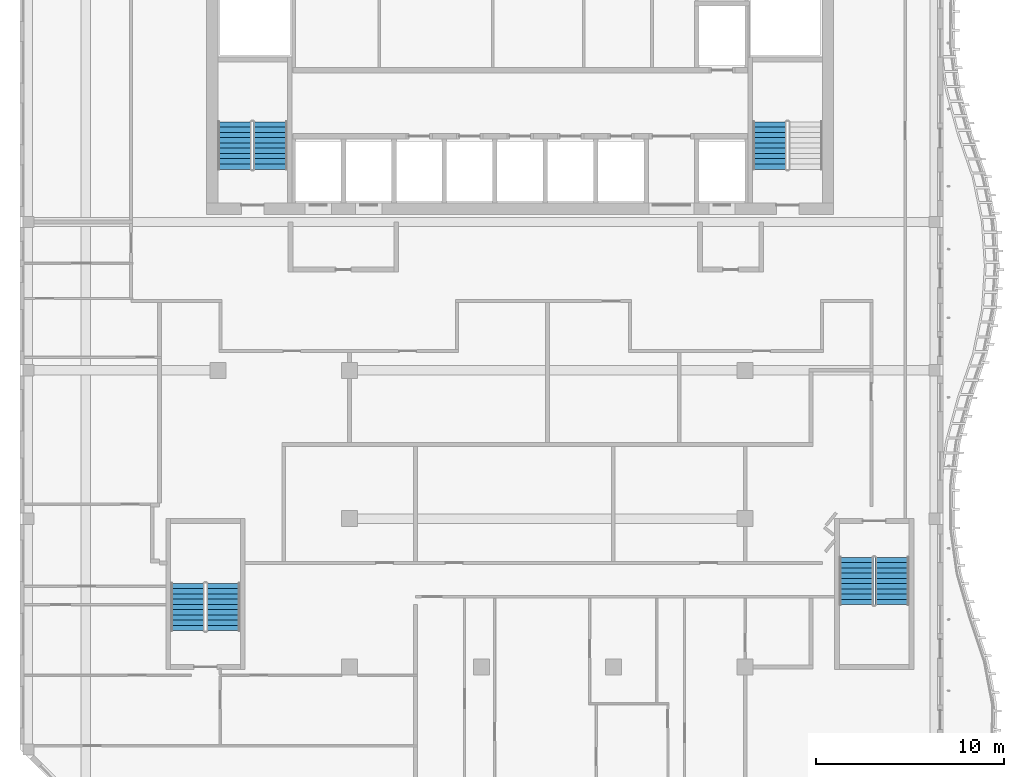
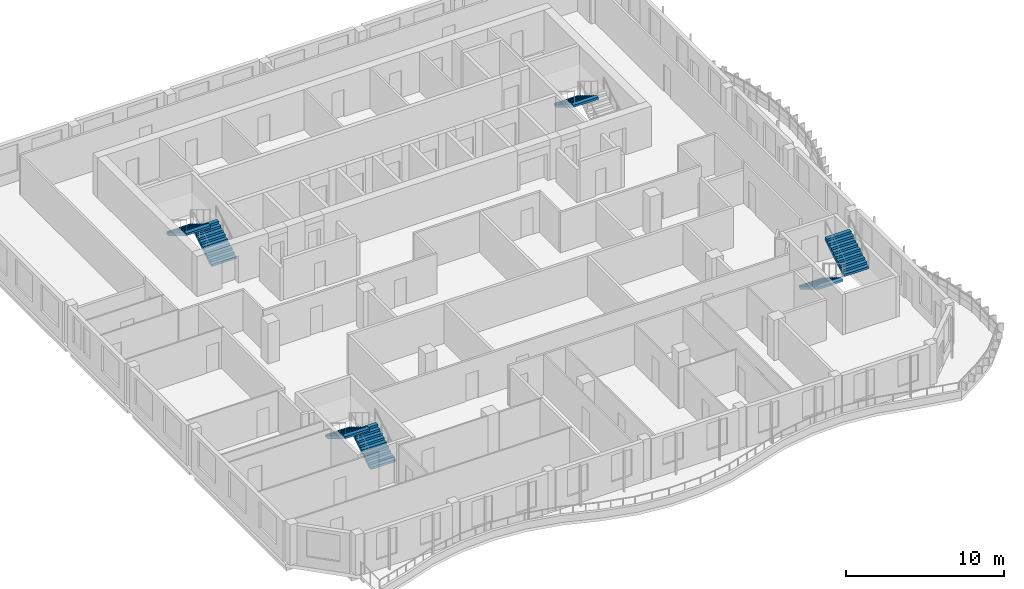
# One storey, part 9 of 17: 7 stair flights, 4 elements without a shape of their own.
"""IFC4 building model written with IfcOpenShell, lengths in metres."""

from ifc_helpers import new_model, si_unit, direction, frame, origin, place, context, subcontext, project, spatial, triangles, source, transform, mapped, material, type_object, element, aggregate, save


model = new_model("IFC4")

# Units and contexts
model_context = context("Model", 3, precision=1e-05, world=origin(), true_north=direction((0.0, 1.0)))
body_context = subcontext(model_context, "Body", "Model", "MODEL_VIEW")
ifc_project = project(units=[si_unit("LENGTHUNIT", "METRE"), si_unit("AREAUNIT", "SQUARE_METRE"), si_unit("VOLUMEUNIT", "CUBIC_METRE"), si_unit("PLANEANGLEUNIT", "RADIAN"), si_unit("MASSUNIT", "GRAM", prefix="KILO")], contexts=[model_context])

# Site, building, storey
site_placement = place(None, origin())
site = spatial("IfcSite", under=ifc_project, at=site_placement, CompositionType="ELEMENT")
building_placement = place(site_placement, origin())
building = spatial("IfcBuilding", under=site, at=building_placement, Name="Kilnfold Tower and Market Hall", CompositionType="ELEMENT")
storey_placement = place(building_placement, frame((0.0, 0.0, 305.199951171875)))
storey = spatial("IfcBuildingStorey", under=building, at=storey_placement, Name="L76", CompositionType="ELEMENT", Elevation=305.199951171875)

# Stair, stair flights
ifc_material_1 = material(Name="Concrete C40/50", Category="concrete")
stair_type = type_object("IfcStairType", Name="CORE STAIR 1800", PredefinedType="HALF_TURN_STAIR", material=ifc_material_1)
stair_1_placement = place(storey_placement, origin())
stair_1 = element("IfcStair", 1, at=stair_1_placement, inside=storey, type_object=stair_type, Name="L76 ST1", PredefinedType="HALF_TURN_STAIR")
ifc_material_2 = material(Name="Concrete C40/50", Category="concrete")
stair_flight_type = type_object("IfcStairFlightType", Name="CORE STAIR FLIGHT 1800", PredefinedType="STRAIGHT", material=ifc_material_2)
shared_shape = source(origin(), body_context, "Body", "Tessellation", [
    triangles([(0.0, 0.89990234375, 0.0), (0.0, 0.78759765625, 0.0), (0.0, 0.675048828125, 0.0), (0.0, 0.5625, 0.0), (0.0, 0.449951171875, 0.0), (0.0, 0.33740234375, 0.0), (0.0, 0.22509765625, 0.0), (0.0, 0.112548828125, 0.0), (0.0, 0.0, 0.0), (0.0, -0.112548828125, 0.0), (0.0, -0.22509765625, 0.0), (0.0, -0.33740234375, 0.0), (0.0, -0.449951171875, 0.0), (0.0, -0.5625, 0.0), (0.0, -0.675048828125, 0.0), (0.0, -0.78759765625, 0.0), (0.0, -0.89990234375, 0.0), (0.0, 0.89990234375, 0.169921875), (0.0, 0.78759765625, 0.169921875), (0.0, 0.675048828125, 0.169921875), (0.0, 0.5625, 0.169921875), (0.0, 0.449951171875, 0.169921875), (0.0, 0.33740234375, 0.169921875), (0.0, 0.22509765625, 0.169921875), (0.0, 0.112548828125, 0.169921875), (0.0, 0.0, 0.169921875), (0.0, -0.112548828125, 0.169921875), (0.0, -0.22509765625, 0.169921875), (0.0, -0.33740234375, 0.169921875), (0.0, -0.449951171875, 0.169921875), (0.0, -0.5625, 0.169921875), (0.0, -0.675048828125, 0.169921875), (0.0, -0.78759765625, 0.169921875), (0.0, -0.89990234375, 0.169921875), (0.280029296875, 0.89990234375, 0.169921875), (0.280029296875, 0.78759765625, 0.169921875), (0.280029296875, 0.675048828125, 0.169921875), (0.280029296875, 0.5625, 0.169921875), (0.280029296875, 0.449951171875, 0.169921875), (0.280029296875, 0.33740234375, 0.169921875), (0.280029296875, 0.22509765625, 0.169921875), (0.280029296875, 0.112548828125, 0.169921875), (0.280029296875, 0.0, 0.169921875), (0.280029296875, -0.112548828125, 0.169921875), (0.280029296875, -0.22509765625, 0.169921875), (0.280029296875, -0.33740234375, 0.169921875), (0.280029296875, -0.449951171875, 0.169921875), (0.280029296875, -0.5625, 0.169921875), (0.280029296875, -0.675048828125, 0.169921875), (0.280029296875, -0.78759765625, 0.169921875), (0.280029296875, -0.89990234375, 0.169921875), (0.280029296875, 0.89990234375, 0.340087890625), (0.280029296875, 0.78759765625, 0.340087890625), (0.280029296875, 0.675048828125, 0.340087890625), (0.280029296875, 0.5625, 0.340087890625), (0.280029296875, 0.449951171875, 0.340087890625), (0.280029296875, 0.33740234375, 0.340087890625), (0.280029296875, 0.22509765625, 0.340087890625), (0.280029296875, 0.112548828125, 0.340087890625), (0.280029296875, 0.0, 0.340087890625), (0.280029296875, -0.112548828125, 0.340087890625), (0.280029296875, -0.22509765625, 0.340087890625), (0.280029296875, -0.33740234375, 0.340087890625), (0.280029296875, -0.449951171875, 0.340087890625), (0.280029296875, -0.5625, 0.340087890625), (0.280029296875, -0.675048828125, 0.340087890625), (0.280029296875, -0.78759765625, 0.340087890625), (0.280029296875, -0.89990234375, 0.340087890625), (0.56005859375, 0.89990234375, 0.340087890625), (0.56005859375, 0.78759765625, 0.340087890625), (0.56005859375, 0.675048828125, 0.340087890625), (0.56005859375, 0.5625, 0.340087890625), (0.56005859375, 0.449951171875, 0.340087890625), (0.56005859375, 0.33740234375, 0.340087890625), (0.56005859375, 0.22509765625, 0.340087890625), (0.56005859375, 0.112548828125, 0.340087890625), (0.56005859375, 0.0, 0.340087890625), (0.56005859375, -0.112548828125, 0.340087890625), (0.56005859375, -0.22509765625, 0.340087890625), (0.56005859375, -0.33740234375, 0.340087890625), (0.56005859375, -0.449951171875, 0.340087890625), (0.56005859375, -0.5625, 0.340087890625), (0.56005859375, -0.675048828125, 0.340087890625), (0.56005859375, -0.78759765625, 0.340087890625), (0.56005859375, -0.89990234375, 0.340087890625), (0.56005859375, 0.89990234375, 0.510009765625), (0.56005859375, 0.78759765625, 0.510009765625), (0.56005859375, 0.675048828125, 0.510009765625), (0.56005859375, 0.5625, 0.510009765625), (0.56005859375, 0.449951171875, 0.510009765625), (0.56005859375, 0.33740234375, 0.510009765625), (0.56005859375, 0.22509765625, 0.510009765625), (0.56005859375, 0.112548828125, 0.510009765625), (0.56005859375, 0.0, 0.510009765625), (0.56005859375, -0.112548828125, 0.510009765625), (0.56005859375, -0.22509765625, 0.510009765625), (0.56005859375, -0.33740234375, 0.510009765625), (0.56005859375, -0.449951171875, 0.510009765625), (0.56005859375, -0.5625, 0.510009765625), (0.56005859375, -0.675048828125, 0.510009765625), (0.56005859375, -0.78759765625, 0.510009765625), (0.56005859375, -0.89990234375, 0.510009765625), (0.840087890625, 0.89990234375, 0.510009765625), (0.840087890625, 0.78759765625, 0.510009765625), (0.840087890625, 0.675048828125, 0.510009765625), (0.840087890625, 0.5625, 0.510009765625), (0.840087890625, 0.449951171875, 0.510009765625), (0.840087890625, 0.33740234375, 0.510009765625), (0.840087890625, 0.22509765625, 0.510009765625), (0.840087890625, 0.112548828125, 0.510009765625), (0.840087890625, 0.0, 0.510009765625), (0.840087890625, -0.112548828125, 0.510009765625), (0.840087890625, -0.22509765625, 0.510009765625), (0.840087890625, -0.33740234375, 0.510009765625), (0.840087890625, -0.449951171875, 0.510009765625), (0.840087890625, -0.5625, 0.510009765625), (0.840087890625, -0.675048828125, 0.510009765625), (0.840087890625, -0.78759765625, 0.510009765625), (0.840087890625, -0.89990234375, 0.510009765625), (0.840087890625, 0.89990234375, 0.679931640625), (0.840087890625, 0.78759765625, 0.679931640625), (0.840087890625, 0.675048828125, 0.679931640625), (0.840087890625, 0.5625, 0.679931640625), (0.840087890625, 0.449951171875, 0.679931640625), (0.840087890625, 0.33740234375, 0.679931640625), (0.840087890625, 0.22509765625, 0.679931640625), (0.840087890625, 0.112548828125, 0.679931640625), (0.840087890625, 0.0, 0.679931640625), (0.840087890625, -0.112548828125, 0.679931640625), (0.840087890625, -0.22509765625, 0.679931640625), (0.840087890625, -0.33740234375, 0.679931640625), (0.840087890625, -0.449951171875, 0.679931640625), (0.840087890625, -0.5625, 0.679931640625), (0.840087890625, -0.675048828125, 0.679931640625), (0.840087890625, -0.78759765625, 0.679931640625), (0.840087890625, -0.89990234375, 0.679931640625), (1.1201171875, 0.89990234375, 0.679931640625), (1.1201171875, 0.78759765625, 0.679931640625), (1.1201171875, 0.675048828125, 0.679931640625), (1.1201171875, 0.5625, 0.679931640625), (1.1201171875, 0.449951171875, 0.679931640625), (1.1201171875, 0.33740234375, 0.679931640625), (1.1201171875, 0.22509765625, 0.679931640625), (1.1201171875, 0.112548828125, 0.679931640625), (1.1201171875, 0.0, 0.679931640625), (1.1201171875, -0.112548828125, 0.679931640625), (1.1201171875, -0.22509765625, 0.679931640625), (1.1201171875, -0.33740234375, 0.679931640625), (1.1201171875, -0.449951171875, 0.679931640625), (1.1201171875, -0.5625, 0.679931640625), (1.1201171875, -0.675048828125, 0.679931640625), (1.1201171875, -0.78759765625, 0.679931640625), (1.1201171875, -0.89990234375, 0.679931640625), (1.1201171875, 0.89990234375, 0.85009765625), (1.1201171875, 0.78759765625, 0.85009765625), (1.1201171875, 0.675048828125, 0.85009765625), (1.1201171875, 0.5625, 0.85009765625), (1.1201171875, 0.449951171875, 0.85009765625), (1.1201171875, 0.33740234375, 0.85009765625), (1.1201171875, 0.22509765625, 0.85009765625), (1.1201171875, 0.112548828125, 0.85009765625), (1.1201171875, 0.0, 0.85009765625), (1.1201171875, -0.112548828125, 0.85009765625), (1.1201171875, -0.22509765625, 0.85009765625), (1.1201171875, -0.33740234375, 0.85009765625), (1.1201171875, -0.449951171875, 0.85009765625), (1.1201171875, -0.5625, 0.85009765625), (1.1201171875, -0.675048828125, 0.85009765625), (1.1201171875, -0.78759765625, 0.85009765625), (1.1201171875, -0.89990234375, 0.85009765625), (1.39990234375, 0.89990234375, 0.85009765625), (1.39990234375, 0.78759765625, 0.85009765625), (1.39990234375, 0.675048828125, 0.85009765625), (1.39990234375, 0.5625, 0.85009765625), (1.39990234375, 0.449951171875, 0.85009765625), (1.39990234375, 0.33740234375, 0.85009765625), (1.39990234375, 0.22509765625, 0.85009765625), (1.39990234375, 0.112548828125, 0.85009765625), (1.39990234375, 0.0, 0.85009765625), (1.39990234375, -0.112548828125, 0.85009765625), (1.39990234375, -0.22509765625, 0.85009765625), (1.39990234375, -0.33740234375, 0.85009765625), (1.39990234375, -0.449951171875, 0.85009765625), (1.39990234375, -0.5625, 0.85009765625), (1.39990234375, -0.675048828125, 0.85009765625), (1.39990234375, -0.78759765625, 0.85009765625), (1.39990234375, -0.89990234375, 0.85009765625), (1.39990234375, 0.89990234375, 1.02001953125), (1.39990234375, 0.78759765625, 1.02001953125), (1.39990234375, 0.675048828125, 1.02001953125), (1.39990234375, 0.5625, 1.02001953125), (1.39990234375, 0.449951171875, 1.02001953125), (1.39990234375, 0.33740234375, 1.02001953125), (1.39990234375, 0.22509765625, 1.02001953125), (1.39990234375, 0.112548828125, 1.02001953125), (1.39990234375, 0.0, 1.02001953125), (1.39990234375, -0.112548828125, 1.02001953125), (1.39990234375, -0.22509765625, 1.02001953125), (1.39990234375, -0.33740234375, 1.02001953125), (1.39990234375, -0.449951171875, 1.02001953125), (1.39990234375, -0.5625, 1.02001953125), (1.39990234375, -0.675048828125, 1.02001953125), (1.39990234375, -0.78759765625, 1.02001953125), (1.39990234375, -0.89990234375, 1.02001953125), (1.679931640625, 0.89990234375, 1.02001953125), (1.679931640625, 0.78759765625, 1.02001953125), (1.679931640625, 0.675048828125, 1.02001953125), (1.679931640625, 0.5625, 1.02001953125), (1.679931640625, 0.449951171875, 1.02001953125), (1.679931640625, 0.33740234375, 1.02001953125), (1.679931640625, 0.22509765625, 1.02001953125), (1.679931640625, 0.112548828125, 1.02001953125), (1.679931640625, 0.0, 1.02001953125), (1.679931640625, -0.112548828125, 1.02001953125), (1.679931640625, -0.22509765625, 1.02001953125), (1.679931640625, -0.33740234375, 1.02001953125), (1.679931640625, -0.449951171875, 1.02001953125), (1.679931640625, -0.5625, 1.02001953125), (1.679931640625, -0.675048828125, 1.02001953125), (1.679931640625, -0.78759765625, 1.02001953125), (1.679931640625, -0.89990234375, 1.02001953125), (1.679931640625, 0.89990234375, 1.18994140625), (1.679931640625, 0.78759765625, 1.18994140625), (1.679931640625, 0.675048828125, 1.18994140625), (1.679931640625, 0.5625, 1.18994140625), (1.679931640625, 0.449951171875, 1.18994140625), (1.679931640625, 0.33740234375, 1.18994140625), (1.679931640625, 0.22509765625, 1.18994140625), (1.679931640625, 0.112548828125, 1.18994140625), (1.679931640625, 0.0, 1.18994140625), (1.679931640625, -0.112548828125, 1.18994140625), (1.679931640625, -0.22509765625, 1.18994140625), (1.679931640625, -0.33740234375, 1.18994140625), (1.679931640625, -0.449951171875, 1.18994140625), (1.679931640625, -0.5625, 1.18994140625), (1.679931640625, -0.675048828125, 1.18994140625), (1.679931640625, -0.78759765625, 1.18994140625), (1.679931640625, -0.89990234375, 1.18994140625), (1.9599609375, 0.89990234375, 1.18994140625), (1.9599609375, 0.78759765625, 1.18994140625), (1.9599609375, 0.675048828125, 1.18994140625), (1.9599609375, 0.5625, 1.18994140625), (1.9599609375, 0.449951171875, 1.18994140625), (1.9599609375, 0.33740234375, 1.18994140625), (1.9599609375, 0.22509765625, 1.18994140625), (1.9599609375, 0.112548828125, 1.18994140625), (1.9599609375, 0.0, 1.18994140625), (1.9599609375, -0.112548828125, 1.18994140625), (1.9599609375, -0.22509765625, 1.18994140625), (1.9599609375, -0.33740234375, 1.18994140625), (1.9599609375, -0.449951171875, 1.18994140625), (1.9599609375, -0.5625, 1.18994140625), (1.9599609375, -0.675048828125, 1.18994140625), (1.9599609375, -0.78759765625, 1.18994140625), (1.9599609375, -0.89990234375, 1.18994140625), (1.9599609375, 0.89990234375, 1.360107421875), (1.9599609375, 0.78759765625, 1.360107421875), (1.9599609375, 0.675048828125, 1.360107421875), (1.9599609375, 0.5625, 1.360107421875), (1.9599609375, 0.449951171875, 1.360107421875), (1.9599609375, 0.33740234375, 1.360107421875), (1.9599609375, 0.22509765625, 1.360107421875), (1.9599609375, 0.112548828125, 1.360107421875), (1.9599609375, 0.0, 1.360107421875), (1.9599609375, -0.112548828125, 1.360107421875), (1.9599609375, -0.22509765625, 1.360107421875), (1.9599609375, -0.33740234375, 1.360107421875), (1.9599609375, -0.449951171875, 1.360107421875), (1.9599609375, -0.5625, 1.360107421875), (1.9599609375, -0.675048828125, 1.360107421875), (1.9599609375, -0.78759765625, 1.360107421875), (1.9599609375, -0.89990234375, 1.360107421875), (2.239990234375, 0.89990234375, 1.360107421875), (2.239990234375, 0.78759765625, 1.360107421875), (2.239990234375, 0.675048828125, 1.360107421875), (2.239990234375, 0.5625, 1.360107421875), (2.239990234375, 0.449951171875, 1.360107421875), (2.239990234375, 0.33740234375, 1.360107421875), (2.239990234375, 0.22509765625, 1.360107421875), (2.239990234375, 0.112548828125, 1.360107421875), (2.239990234375, 0.0, 1.360107421875), (2.239990234375, -0.112548828125, 1.360107421875), (2.239990234375, -0.22509765625, 1.360107421875), (2.239990234375, -0.33740234375, 1.360107421875), (2.239990234375, -0.449951171875, 1.360107421875), (2.239990234375, -0.5625, 1.360107421875), (2.239990234375, -0.675048828125, 1.360107421875), (2.239990234375, -0.78759765625, 1.360107421875), (2.239990234375, -0.89990234375, 1.360107421875), (2.239990234375, 0.89990234375, 1.530029296875), (2.239990234375, 0.78759765625, 1.530029296875), (2.239990234375, 0.675048828125, 1.530029296875), (2.239990234375, 0.5625, 1.530029296875), (2.239990234375, 0.449951171875, 1.530029296875), (2.239990234375, 0.33740234375, 1.530029296875), (2.239990234375, 0.22509765625, 1.530029296875), (2.239990234375, 0.112548828125, 1.530029296875), (2.239990234375, 0.0, 1.530029296875), (2.239990234375, -0.112548828125, 1.530029296875), (2.239990234375, -0.22509765625, 1.530029296875), (2.239990234375, -0.33740234375, 1.530029296875), (2.239990234375, -0.449951171875, 1.530029296875), (2.239990234375, -0.5625, 1.530029296875), (2.239990234375, -0.675048828125, 1.530029296875), (2.239990234375, -0.78759765625, 1.530029296875), (2.239990234375, -0.89990234375, 1.530029296875), (2.52001953125, 0.89990234375, 1.530029296875), (2.52001953125, 0.78759765625, 1.530029296875), (2.52001953125, 0.675048828125, 1.530029296875), (2.52001953125, 0.5625, 1.530029296875), (2.52001953125, 0.449951171875, 1.530029296875), (2.52001953125, 0.33740234375, 1.530029296875), (2.52001953125, 0.22509765625, 1.530029296875), (2.52001953125, 0.112548828125, 1.530029296875), (2.52001953125, 0.0, 1.530029296875), (2.52001953125, -0.112548828125, 1.530029296875), (2.52001953125, -0.22509765625, 1.530029296875), (2.52001953125, -0.33740234375, 1.530029296875), (2.52001953125, -0.449951171875, 1.530029296875), (2.52001953125, -0.5625, 1.530029296875), (2.52001953125, -0.675048828125, 1.530029296875), (2.52001953125, -0.78759765625, 1.530029296875), (2.52001953125, -0.89990234375, 1.530029296875), (2.52001953125, 0.89990234375, 1.354736328125), (2.52001953125, 0.78759765625, 1.354736328125), (2.52001953125, 0.675048828125, 1.354736328125), (2.52001953125, 0.5625, 1.354736328125), (2.52001953125, 0.449951171875, 1.354736328125), (2.52001953125, 0.33740234375, 1.354736328125), (2.52001953125, 0.22509765625, 1.354736328125), (2.52001953125, 0.112548828125, 1.354736328125), (2.52001953125, 0.0, 1.354736328125), (2.52001953125, -0.112548828125, 1.354736328125), (2.52001953125, -0.22509765625, 1.354736328125), (2.52001953125, -0.33740234375, 1.354736328125), (2.52001953125, -0.449951171875, 1.354736328125), (2.52001953125, -0.5625, 1.354736328125), (2.52001953125, -0.675048828125, 1.354736328125), (2.52001953125, -0.78759765625, 1.354736328125), (2.52001953125, -0.89990234375, 1.354736328125), (0.288818359375, 0.89990234375, 0.0), (0.288818359375, 0.78759765625, 0.0), (0.288818359375, 0.675048828125, 0.0), (0.288818359375, 0.5625, 0.0), (0.288818359375, 0.449951171875, 0.0), (0.288818359375, 0.33740234375, 0.0), (0.288818359375, 0.22509765625, 0.0), (0.288818359375, 0.112548828125, 0.0), (0.288818359375, 0.0, 0.0), (0.288818359375, -0.112548828125, 0.0), (0.288818359375, -0.22509765625, 0.0), (0.288818359375, -0.33740234375, 0.0), (0.288818359375, -0.449951171875, 0.0), (0.288818359375, -0.5625, 0.0), (0.288818359375, -0.675048828125, 0.0), (0.288818359375, -0.78759765625, 0.0), (0.288818359375, -0.89990234375, 0.0)], [[1, 324, 341], [17, 357, 340], [324, 290, 307], [340, 323, 306], [324, 273, 290], [340, 306, 289], [324, 256, 273], [340, 289, 272], [324, 239, 256], [340, 272, 255], [239, 205, 222], [255, 238, 221], [324, 205, 239], [340, 255, 221], [205, 171, 188], [221, 204, 187], [324, 171, 205], [340, 221, 187], [171, 137, 154], [187, 170, 153], [324, 137, 171], [340, 187, 153], [137, 103, 120], [153, 136, 119], [324, 103, 137], [340, 153, 119], [103, 69, 86], [119, 102, 85], [324, 69, 103], [340, 119, 85], [69, 35, 52], [85, 68, 51], [324, 35, 69], [340, 85, 51], [1, 35, 324], [17, 340, 51], [35, 1, 18], [51, 34, 17], [1, 19, 18], [1, 2, 19], [2, 20, 19], [2, 3, 20], [3, 21, 20], [3, 4, 21], [4, 22, 21], [4, 5, 22], [5, 23, 22], [5, 6, 23], [6, 24, 23], [6, 7, 24], [7, 25, 24], [7, 8, 25], [8, 26, 25], [8, 9, 26], [9, 27, 26], [9, 10, 27], [10, 28, 27], [10, 11, 28], [11, 29, 28], [11, 12, 29], [12, 30, 29], [12, 13, 30], [13, 31, 30], [13, 14, 31], [14, 32, 31], [14, 15, 32], [15, 33, 32], [15, 16, 33], [16, 34, 33], [16, 17, 34], [18, 36, 35], [18, 19, 36], [19, 37, 36], [19, 20, 37], [20, 38, 37], [20, 21, 38], [21, 39, 38], [21, 22, 39], [22, 40, 39], [22, 23, 40], [23, 41, 40], [23, 24, 41], [24, 42, 41], [24, 25, 42], [25, 43, 42], [25, 26, 43], [26, 44, 43], [26, 27, 44], [27, 45, 44], [27, 28, 45], [28, 46, 45], [28, 29, 46], [29, 47, 46], [29, 30, 47], [30, 48, 47], [30, 31, 48], [31, 49, 48], [31, 32, 49], [32, 50, 49], [32, 33, 50], [33, 51, 50], [33, 34, 51], [35, 53, 52], [35, 36, 53], [36, 54, 53], [36, 37, 54], [37, 55, 54], [37, 38, 55], [38, 56, 55], [38, 39, 56], [39, 57, 56], [39, 40, 57], [40, 58, 57], [40, 41, 58], [41, 59, 58], [41, 42, 59], [42, 60, 59], [42, 43, 60], [43, 61, 60], [43, 44, 61], [44, 62, 61], [44, 45, 62], [45, 63, 62], [45, 46, 63], [46, 64, 63], [46, 47, 64], [47, 65, 64], [47, 48, 65], [48, 66, 65], [48, 49, 66], [49, 67, 66], [49, 50, 67], [50, 68, 67], [50, 51, 68], [52, 70, 69], [52, 53, 70], [53, 71, 70], [53, 54, 71], [54, 72, 71], [54, 55, 72], [55, 73, 72], [55, 56, 73], [56, 74, 73], [56, 57, 74], [57, 75, 74], [57, 58, 75], [58, 76, 75], [58, 59, 76], [59, 77, 76], [59, 60, 77], [60, 78, 77], [60, 61, 78], [61, 79, 78], [61, 62, 79], [62, 80, 79], [62, 63, 80], [63, 81, 80], [63, 64, 81], [64, 82, 81], [64, 65, 82], [65, 83, 82], [65, 66, 83], [66, 84, 83], [66, 67, 84], [67, 85, 84], [67, 68, 85], [69, 87, 86], [69, 70, 87], [70, 88, 87], [70, 71, 88], [71, 89, 88], [71, 72, 89], [72, 90, 89], [72, 73, 90], [73, 91, 90], [73, 74, 91], [74, 92, 91], [74, 75, 92], [75, 93, 92], [75, 76, 93], [76, 94, 93], [76, 77, 94], [77, 95, 94], [77, 78, 95], [78, 96, 95], [78, 79, 96], [79, 97, 96], [79, 80, 97], [80, 98, 97], [80, 81, 98], [81, 99, 98], [81, 82, 99], [82, 100, 99], [82, 83, 100], [83, 101, 100], [83, 84, 101], [84, 102, 101], [84, 85, 102], [86, 104, 103], [86, 87, 104], [87, 105, 104], [87, 88, 105], [88, 106, 105], [88, 89, 106], [89, 107, 106], [89, 90, 107], [90, 108, 107], [90, 91, 108], [91, 109, 108], [91, 92, 109], [92, 110, 109], [92, 93, 110], [93, 111, 110], [93, 94, 111], [94, 112, 111], [94, 95, 112], [95, 113, 112], [95, 96, 113], [96, 114, 113], [96, 97, 114], [97, 115, 114], [97, 98, 115], [98, 116, 115], [98, 99, 116], [99, 117, 116], [99, 100, 117], [100, 118, 117], [100, 101, 118], [101, 119, 118], [101, 102, 119], [103, 121, 120], [103, 104, 121], [104, 122, 121], [104, 105, 122], [105, 123, 122], [105, 106, 123], [106, 124, 123], [106, 107, 124], [107, 125, 124], [107, 108, 125], [108, 126, 125], [108, 109, 126], [109, 127, 126], [109, 110, 127], [110, 128, 127], [110, 111, 128], [111, 129, 128], [111, 112, 129], [112, 130, 129], [112, 113, 130], [113, 131, 130], [113, 114, 131], [114, 132, 131], [114, 115, 132], [115, 133, 132], [115, 116, 133], [116, 134, 133], [116, 117, 134], [117, 135, 134], [117, 118, 135], [118, 136, 135], [118, 119, 136], [120, 138, 137], [120, 121, 138], [121, 139, 138], [121, 122, 139], [122, 140, 139], [122, 123, 140], [123, 141, 140], [123, 124, 141], [124, 142, 141], [124, 125, 142], [125, 143, 142], [125, 126, 143], [126, 144, 143], [126, 127, 144], [127, 145, 144], [127, 128, 145], [128, 146, 145], [128, 129, 146], [129, 147, 146], [129, 130, 147], [130, 148, 147], [130, 131, 148], [131, 149, 148], [131, 132, 149], [132, 150, 149], [132, 133, 150], [133, 151, 150], [133, 134, 151], [134, 152, 151], [134, 135, 152], [135, 153, 152], [135, 136, 153], [137, 155, 154], [137, 138, 155], [138, 156, 155], [138, 139, 156], [139, 157, 156], [139, 140, 157], [140, 158, 157], [140, 141, 158], [141, 159, 158], [141, 142, 159], [142, 160, 159], [142, 143, 160], [143, 161, 160], [143, 144, 161], [144, 162, 161], [144, 145, 162], [145, 163, 162], [145, 146, 163], [146, 164, 163], [146, 147, 164], [147, 165, 164], [147, 148, 165], [148, 166, 165], [148, 149, 166], [149, 167, 166], [149, 150, 167], [150, 168, 167], [150, 151, 168], [151, 169, 168], [151, 152, 169], [152, 170, 169], [152, 153, 170], [154, 172, 171], [154, 155, 172], [155, 173, 172], [155, 156, 173], [156, 174, 173], [156, 157, 174], [157, 175, 174], [157, 158, 175], [158, 176, 175], [158, 159, 176], [159, 177, 176], [159, 160, 177], [160, 178, 177], [160, 161, 178], [161, 179, 178], [161, 162, 179], [162, 180, 179], [162, 163, 180], [163, 181, 180], [163, 164, 181], [164, 182, 181], [164, 165, 182], [165, 183, 182], [165, 166, 183], [166, 184, 183], [166, 167, 184], [167, 185, 184], [167, 168, 185], [168, 186, 185], [168, 169, 186], [169, 187, 186], [169, 170, 187], [171, 189, 188], [171, 172, 189], [172, 190, 189], [172, 173, 190], [173, 191, 190], [173, 174, 191], [174, 192, 191], [174, 175, 192], [175, 193, 192], [175, 176, 193], [176, 194, 193], [176, 177, 194], [177, 195, 194], [177, 178, 195], [178, 196, 195], [178, 179, 196], [179, 197, 196], [179, 180, 197], [180, 198, 197], [180, 181, 198], [181, 199, 198], [181, 182, 199], [182, 200, 199], [182, 183, 200], [183, 201, 200], [183, 184, 201], [184, 202, 201], [184, 185, 202], [185, 203, 202], [185, 186, 203], [186, 204, 203], [186, 187, 204], [188, 206, 205], [188, 189, 206], [189, 207, 206], [189, 190, 207], [190, 208, 207], [190, 191, 208], [191, 209, 208], [191, 192, 209], [192, 210, 209], [192, 193, 210], [193, 211, 210], [193, 194, 211], [194, 212, 211], [194, 195, 212], [195, 213, 212], [195, 196, 213], [196, 214, 213], [196, 197, 214], [197, 215, 214], [197, 198, 215], [198, 216, 215], [198, 199, 216], [199, 217, 216], [199, 200, 217], [200, 218, 217], [200, 201, 218], [201, 219, 218], [201, 202, 219], [202, 220, 219], [202, 203, 220], [203, 221, 220], [203, 204, 221], [205, 223, 222], [205, 206, 223], [206, 224, 223], [206, 207, 224], [207, 225, 224], [207, 208, 225], [208, 226, 225], [208, 209, 226], [209, 227, 226], [209, 210, 227], [210, 228, 227], [210, 211, 228], [211, 229, 228], [211, 212, 229], [212, 230, 229], [212, 213, 230], [213, 231, 230], [213, 214, 231], [214, 232, 231], [214, 215, 232], [215, 233, 232], [215, 216, 233], [216, 234, 233], [216, 217, 234], [217, 235, 234], [217, 218, 235], [218, 236, 235], [218, 219, 236], [219, 237, 236], [219, 220, 237], [220, 238, 237], [220, 221, 238], [222, 240, 239], [222, 223, 240], [223, 241, 240], [223, 224, 241], [224, 242, 241], [224, 225, 242], [225, 243, 242], [225, 226, 243], [226, 244, 243], [226, 227, 244], [227, 245, 244], [227, 228, 245], [228, 246, 245], [228, 229, 246], [229, 247, 246], [229, 230, 247], [230, 248, 247], [230, 231, 248], [231, 249, 248], [231, 232, 249], [232, 250, 249], [232, 233, 250], [233, 251, 250], [233, 234, 251], [234, 252, 251], [234, 235, 252], [235, 253, 252], [235, 236, 253], [236, 254, 253], [236, 237, 254], [237, 255, 254], [237, 238, 255], [239, 257, 256], [239, 240, 257], [240, 258, 257], [240, 241, 258], [241, 259, 258], [241, 242, 259], [242, 260, 259], [242, 243, 260], [243, 261, 260], [243, 244, 261], [244, 262, 261], [244, 245, 262], [245, 263, 262], [245, 246, 263], [246, 264, 263], [246, 247, 264], [247, 265, 264], [247, 248, 265], [248, 266, 265], [248, 249, 266], [249, 267, 266], [249, 250, 267], [250, 268, 267], [250, 251, 268], [251, 269, 268], [251, 252, 269], [252, 270, 269], [252, 253, 270], [253, 271, 270], [253, 254, 271], [254, 272, 271], [254, 255, 272], [256, 274, 273], [256, 257, 274], [257, 275, 274], [257, 258, 275], [258, 276, 275], [258, 259, 276], [259, 277, 276], [259, 260, 277], [260, 278, 277], [260, 261, 278], [261, 279, 278], [261, 262, 279], [262, 280, 279], [262, 263, 280], [263, 281, 280], [263, 264, 281], [264, 282, 281], [264, 265, 282], [265, 283, 282], [265, 266, 283], [266, 284, 283], [266, 267, 284], [267, 285, 284], [267, 268, 285], [268, 286, 285], [268, 269, 286], [269, 287, 286], [269, 270, 287], [270, 288, 287], [270, 271, 288], [271, 289, 288], [271, 272, 289], [273, 291, 290], [273, 274, 291], [274, 292, 291], [274, 275, 292], [275, 293, 292], [275, 276, 293], [276, 294, 293], [276, 277, 294], [277, 295, 294], [277, 278, 295], [278, 296, 295], [278, 279, 296], [279, 297, 296], [279, 280, 297], [280, 298, 297], [280, 281, 298], [281, 299, 298], [281, 282, 299], [282, 300, 299], [282, 283, 300], [283, 301, 300], [283, 284, 301], [284, 302, 301], [284, 285, 302], [285, 303, 302], [285, 286, 303], [286, 304, 303], [286, 287, 304], [287, 305, 304], [287, 288, 305], [288, 306, 305], [288, 289, 306], [290, 308, 307], [290, 291, 308], [291, 309, 308], [291, 292, 309], [292, 310, 309], [292, 293, 310], [293, 311, 310], [293, 294, 311], [294, 312, 311], [294, 295, 312], [295, 313, 312], [295, 296, 313], [296, 314, 313], [296, 297, 314], [297, 315, 314], [297, 298, 315], [298, 316, 315], [298, 299, 316], [299, 317, 316], [299, 300, 317], [300, 318, 317], [300, 301, 318], [301, 319, 318], [301, 302, 319], [302, 320, 319], [302, 303, 320], [303, 321, 320], [303, 304, 321], [304, 322, 321], [304, 305, 322], [305, 323, 322], [305, 306, 323], [307, 325, 324], [307, 308, 325], [308, 326, 325], [308, 309, 326], [309, 327, 326], [309, 310, 327], [310, 328, 327], [310, 311, 328], [311, 329, 328], [311, 312, 329], [312, 330, 329], [312, 313, 330], [313, 331, 330], [313, 314, 331], [314, 332, 331], [314, 315, 332], [315, 333, 332], [315, 316, 333], [316, 334, 333], [316, 317, 334], [317, 335, 334], [317, 318, 335], [318, 336, 335], [318, 319, 336], [319, 337, 336], [319, 320, 337], [320, 338, 337], [320, 321, 338], [321, 339, 338], [321, 322, 339], [322, 340, 339], [322, 323, 340], [324, 342, 341], [324, 325, 342], [325, 343, 342], [325, 326, 343], [326, 344, 343], [326, 327, 344], [327, 345, 344], [327, 328, 345], [328, 346, 345], [328, 329, 346], [329, 347, 346], [329, 330, 347], [330, 348, 347], [330, 331, 348], [331, 349, 348], [331, 332, 349], [332, 350, 349], [332, 333, 350], [333, 351, 350], [333, 334, 351], [334, 352, 351], [334, 335, 352], [335, 353, 352], [335, 336, 353], [336, 354, 353], [336, 337, 354], [337, 355, 354], [337, 338, 355], [338, 356, 355], [338, 339, 356], [339, 357, 356], [339, 340, 357], [341, 2, 1], [341, 342, 2], [342, 3, 2], [342, 343, 3], [343, 4, 3], [343, 344, 4], [344, 5, 4], [344, 345, 5], [345, 6, 5], [345, 346, 6], [346, 7, 6], [346, 347, 7], [347, 8, 7], [347, 348, 8], [348, 9, 8], [348, 349, 9], [349, 10, 9], [349, 350, 10], [350, 11, 10], [350, 351, 11], [351, 12, 11], [351, 352, 12], [352, 13, 12], [352, 353, 13], [353, 14, 13], [353, 354, 14], [354, 15, 14], [354, 355, 15], [355, 16, 15], [355, 356, 16], [356, 17, 16], [356, 357, 17]], closed=True),
])
stair_flight_1_placement = place(storey_placement, frame((-12.199951171875, 10.800048828125, 0.0), z_axis=(0.0, 0.0, 1.0), x_axis=(0.0, 1.0, 0.0)))
stair_flight_1 = element("IfcStairFlight", 2, at=stair_flight_1_placement, type_object=stair_flight_type, Name="ST1 flight 1", NumberOfRisers=10, NumberOfTreads=9, PredefinedType="STRAIGHT", RiserHeight=0.17, TreadLength=0.28, context=body_context, shape_type="MappedRepresentation", body=[
    mapped(shared_shape, transform((0.0, 0.0, 0.0))),
])
stair_flight_2_placement = place(storey_placement, frame((-14.10009765625, 13.320068359375, 1.699951171875), z_axis=(0.0, 0.0, 1.0), x_axis=(0.0, -1.0, 0.0)))
stair_flight_2 = element("IfcStairFlight", 3, at=stair_flight_2_placement, type_object=stair_flight_type, Name="ST1 flight 2", NumberOfRisers=10, NumberOfTreads=9, PredefinedType="STRAIGHT", RiserHeight=0.17, TreadLength=0.28, context=body_context, shape_type="MappedRepresentation", body=[
    mapped(shared_shape, transform((0.0, 0.0, 0.0))),
])
aggregate(stair_1, [stair_flight_1, stair_flight_2])

# Stair, stair flight
stair_2_placement = place(storey_placement, origin())
stair_2 = element("IfcStair", 4, at=stair_2_placement, inside=storey, type_object=stair_type, Name="L76 ST2", PredefinedType="HALF_TURN_STAIR")
stair_flight_3_placement = place(storey_placement, frame((14.300048828125, 13.320068359375, 1.699951171875), z_axis=(0.0, 0.0, 1.0), x_axis=(0.0, -1.0, 0.0)))
stair_flight_3 = element("IfcStairFlight", 5, at=stair_flight_3_placement, type_object=stair_flight_type, Name="ST2 flight 2", NumberOfRisers=10, NumberOfTreads=9, PredefinedType="STRAIGHT", RiserHeight=0.17, TreadLength=0.28, context=body_context, shape_type="MappedRepresentation", body=[
    mapped(shared_shape, transform((0.0, 0.0, 0.0))),
])
aggregate(stair_2, [stair_flight_3])

# Stair, stair flights
stair_3_placement = place(storey_placement, origin())
stair_3 = element("IfcStair", 6, at=stair_3_placement, inside=storey, type_object=stair_type, Name="L76 ST3", PredefinedType="HALF_TURN_STAIR")
stair_flight_4_placement = place(storey_placement, frame((-14.699951171875, -13.699951171875, 0.0), z_axis=(0.0, 0.0, 1.0), x_axis=(0.0, 1.0, 0.0)))
stair_flight_4 = element("IfcStairFlight", 7, at=stair_flight_4_placement, type_object=stair_flight_type, Name="ST3 flight 1", NumberOfRisers=10, NumberOfTreads=9, PredefinedType="STRAIGHT", RiserHeight=0.17, TreadLength=0.28, context=body_context, shape_type="MappedRepresentation", body=[
    mapped(shared_shape, transform((0.0, 0.0, 0.0))),
])
stair_flight_5_placement = place(storey_placement, frame((-16.60009765625, -11.179931640625, 1.699951171875), z_axis=(0.0, 0.0, 1.0), x_axis=(0.0, -1.0, 0.0)))
stair_flight_5 = element("IfcStairFlight", 8, at=stair_flight_5_placement, type_object=stair_flight_type, Name="ST3 flight 2", NumberOfRisers=10, NumberOfTreads=9, PredefinedType="STRAIGHT", RiserHeight=0.17, TreadLength=0.28, context=body_context, shape_type="MappedRepresentation", body=[
    mapped(shared_shape, transform((0.0, 0.0, 0.0))),
])
aggregate(stair_3, [stair_flight_4, stair_flight_5])

stair_4_placement = place(storey_placement, origin())
stair_4 = element("IfcStair", 9, at=stair_4_placement, inside=storey, type_object=stair_type, Name="L76 ST4", PredefinedType="HALF_TURN_STAIR")
stair_flight_6_placement = place(storey_placement, frame((18.89990234375, -9.800048828125, 0.0), z_axis=(0.0, 0.0, 1.0), x_axis=(0.0, -1.0, 0.0)))
stair_flight_6 = element("IfcStairFlight", 10, at=stair_flight_6_placement, type_object=stair_flight_type, Name="ST4 flight 1", NumberOfRisers=10, NumberOfTreads=9, PredefinedType="STRAIGHT", RiserHeight=0.17, TreadLength=0.28, context=body_context, shape_type="MappedRepresentation", body=[
    mapped(shared_shape, transform((0.0, 0.0, 0.0))),
])
stair_flight_7_placement = place(storey_placement, frame((20.800048828125, -12.320068359375, 1.699951171875), z_axis=(0.0, 0.0, 1.0), x_axis=(0.0, 1.0, 0.0)))
stair_flight_7 = element("IfcStairFlight", 11, at=stair_flight_7_placement, type_object=stair_flight_type, Name="ST4 flight 2", NumberOfRisers=10, NumberOfTreads=9, PredefinedType="STRAIGHT", RiserHeight=0.17, TreadLength=0.28, context=body_context, shape_type="MappedRepresentation", body=[
    mapped(shared_shape, transform((0.0, 0.0, 0.0))),
])
aggregate(stair_4, [stair_flight_6, stair_flight_7])

save(model, "model.ifc")
